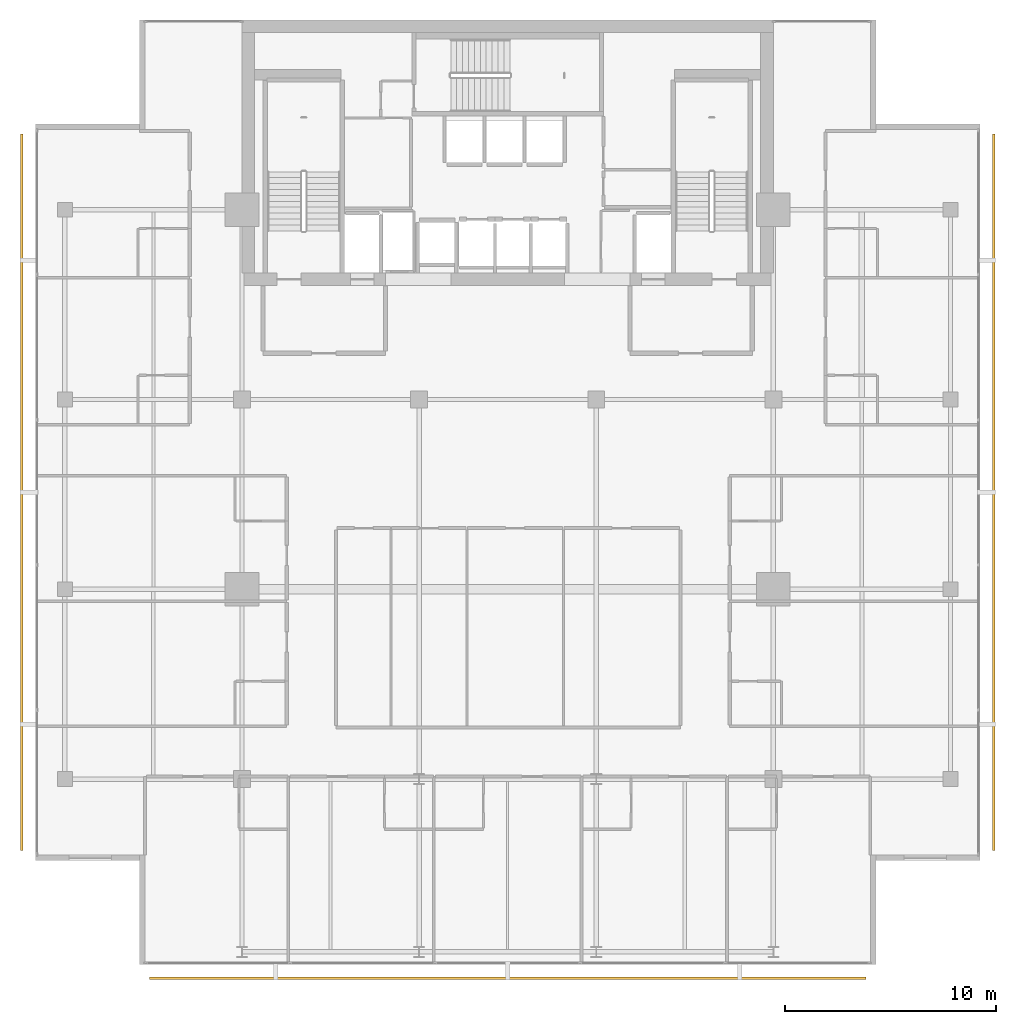
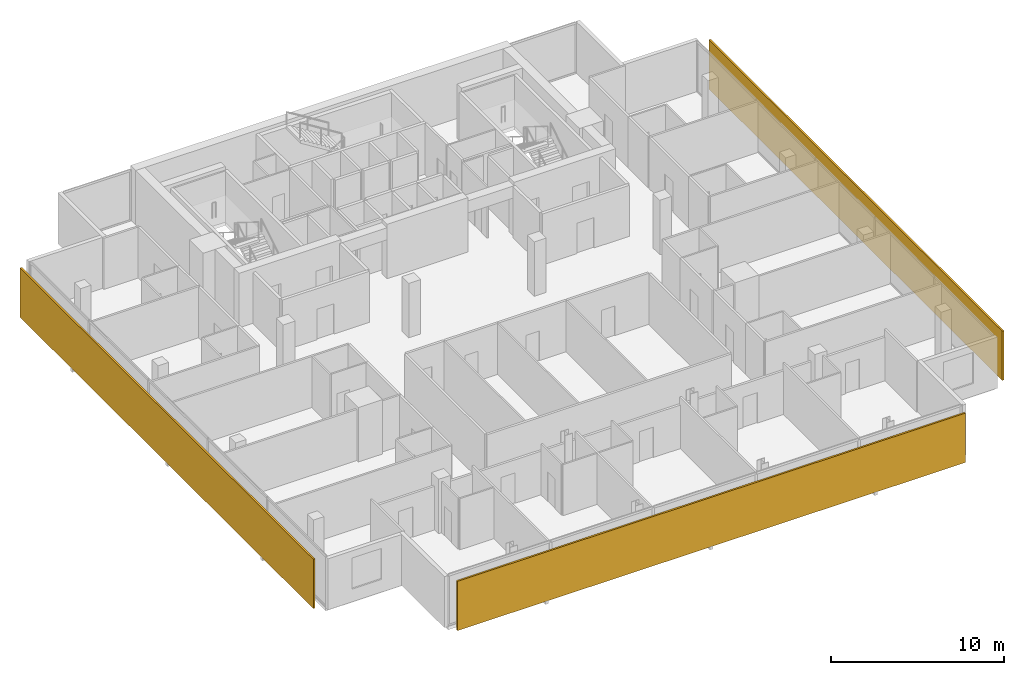
# One storey, part 24 of 25: 3 shading devices.
"""IFC4 building model written with IfcOpenShell, lengths in metres."""

from ifc_helpers import new_model, si_unit, direction, frame, origin, origin_2d, place, context, subcontext, project, spatial, rectangle, extrude, material, layer, layer_set, type_object, element, save


model = new_model("IFC4")

# Units and contexts
model_context = context("Model", 3, precision=1e-05, world=origin(), true_north=direction((0.0, 1.0)))
body_context = subcontext(model_context, "Body", "Model", "MODEL_VIEW")
ifc_project = project(units=[si_unit("LENGTHUNIT", "METRE"), si_unit("AREAUNIT", "SQUARE_METRE"), si_unit("VOLUMEUNIT", "CUBIC_METRE"), si_unit("PLANEANGLEUNIT", "RADIAN"), si_unit("MASSUNIT", "GRAM", prefix="KILO")], contexts=[model_context])

# Site, building, storey
site_placement = place(None, origin())
site = spatial("IfcSite", under=ifc_project, at=site_placement, CompositionType="ELEMENT")
building_placement = place(site_placement, origin())
building = spatial("IfcBuilding", under=site, at=building_placement, Name="Maruvema Waterfront Hotel and Observation Tower", CompositionType="ELEMENT")
storey_placement = place(building_placement, frame((0.0, 0.0, 262.5)))
storey = spatial("IfcBuildingStorey", under=building, at=storey_placement, Name="L64", CompositionType="ELEMENT", Elevation=262.5)

# Shading devices
ifc_material = material(Name="Honed travertine stone and anodised architectural bronze", Category="masonry")
ifc_layer = layer(ifc_material, 0.1201171875, Name="Ventilated Outer Skin Cobogo Stone-and-Bronze Screen 120 mm")
ifc_layer_set = layer_set([ifc_layer], Name="Honed travertine stone and anodised architectural bronze")
shading_device_type = type_object("IfcShadingDeviceType", Name="Ventilated Outer Skin Cobogo Stone-and-Bronze Screen 120 mm", PredefinedType="USERDEFINED", material=ifc_layer_set)
for number, where, z_axis, x_axis, name in (
    (1, (37.800048828125, 8.550048828125, 0.06005859375), (0.0, 0.0, 1.0), (1.0, 0.0, 0.0), "L64 Ventilated Double-Skin Outer Cobogo Screen OS-L64-S"),
    (2, (60.85009765625, 31.60009765625, 0.06005859375), (0.0, 0.0, 1.0), (0.0, 1.0, 0.0), "L64 Ventilated Double-Skin Outer Cobogo Screen OS-L64-E"),
    (3, (14.75, 31.60009765625, 0.06005859375), (0.0, 0.0, 1.0), (0.0, -1.0, 0.0), "L64 Ventilated Double-Skin Outer Cobogo Screen OS-L64-W"),
):
    element("IfcShadingDevice", number, at=place(storey_placement, frame(where, z_axis=z_axis, x_axis=x_axis)), inside=storey, type_object=shading_device_type, Name=name, ObjectType="OUTER SKIN SCREEN", PredefinedType="USERDEFINED", context=body_context, shape_type="SweptSolid", body=[
        extrude(rectangle(XDim=34.0, YDim=0.1201171875, at=origin_2d()), origin(), (0.0, 0.0, 1.0), 3.489990234375),
    ])

save(model, "model.ifc")
